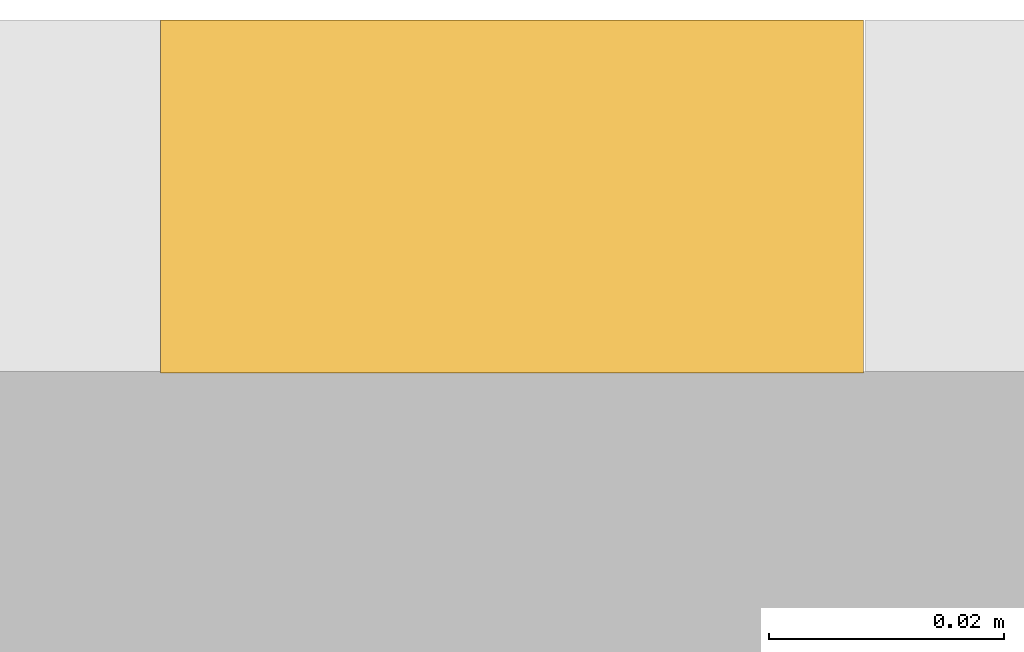
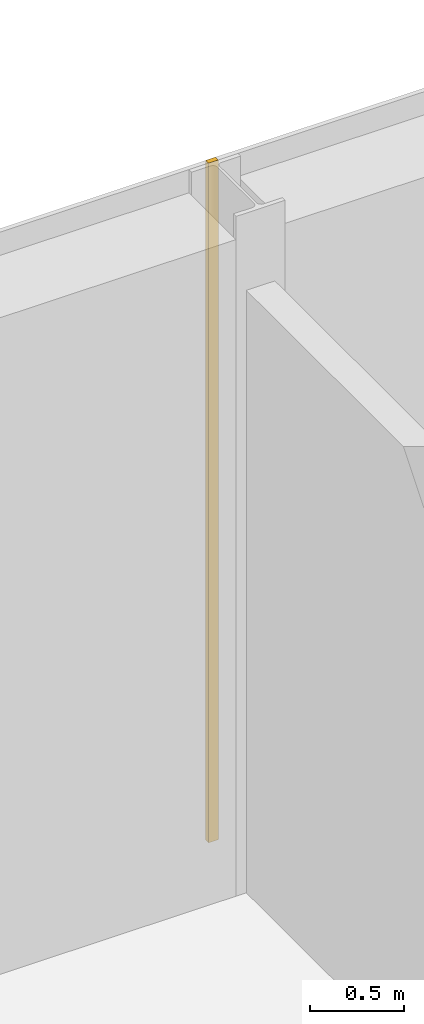
# One storey, part 54 of 58: 1 covering.
"""IFC4 building model written with IfcOpenShell, lengths in metres."""

import ifcopenshell
import ifcopenshell.guid

model = None  # the IFC model being written
_history = None  # IfcOwnerHistory: only IFC2X3 demands one
_inside = {}  # id of a spatial element -> (the spatial element, [elements in it])
_under = {}  # id of a project, library or spatial element -> (it, [spatial elements below it])
_declared = {}  # id of a project -> (the project, [libraries it declares])
_typed = {}  # id of a type object -> (the type object, [elements of that type])
_made_of = {}  # id of a material, layer set ... -> (it, [elements and type objects made of it])


def new_model(schema):
    """Start an empty IFC model of exactly this schema.

    Asked for "IFC4X3", IfcOpenShell would pick the latest addendum, in which some entities
    have other attributes; the version numbers below select the first issue.
    IFC2X3 requires an IfcOwnerHistory on every rooted entity: one is made here for all.
    """
    global model, _history
    if schema == "IFC4X3":
        model = ifcopenshell.file(schema_version=(4, 3, 0, 0))
    else:
        model = ifcopenshell.file(schema=schema)
    _inside.clear()
    _under.clear()
    _declared.clear()
    _typed.clear()
    _made_of.clear()
    _history = None
    if model.schema == "IFC2X3":
        org = make("IfcOrganization", Name="unknown")
        user = make(
            "IfcPersonAndOrganization",
            ThePerson=make("IfcPerson", FamilyName="unknown"),
            TheOrganization=org,
        )
        app = make(
            "IfcApplication",
            ApplicationDeveloper=org,
            Version="unknown",
            ApplicationFullName="unknown",
            ApplicationIdentifier="unknown",
        )
        _history = make(
            "IfcOwnerHistory",
            OwningUser=user,
            OwningApplication=app,
            ChangeAction="ADDED",
            CreationDate=0,
        )
    return model


def make(cls, **values):
    """One entity of the class cls with the attributes given. An attribute that is None is left unset."""
    return model.create_entity(
        cls, **{name: value for name, value in values.items() if value is not None}
    )


def rooted(cls, **values):
    """An entity with a GlobalId (a new one), such as an element, a storey or a relation."""
    return make(cls, GlobalId=ifcopenshell.guid.new(), OwnerHistory=_history, **values)


def si_unit(unit_type, name, prefix=None):
    """IfcSIUnit, for example si_unit("LENGTHUNIT", "METRE", prefix="MILLI")."""
    return make("IfcSIUnit", UnitType=unit_type, Prefix=prefix, Name=name)


def assignment(units):
    """IfcUnitAssignment: the units of a project."""
    return None if units is None else make("IfcUnitAssignment", Units=units)


def point(xyz):
    """IfcCartesianPoint."""
    return None if xyz is None else make("IfcCartesianPoint", Coordinates=xyz)


def direction(xyz):
    """IfcDirection."""
    return None if xyz is None else make("IfcDirection", DirectionRatios=xyz)


def frame(location, z_axis=None, x_axis=None):
    """IfcAxis2Placement3D, a coordinate frame: its origin and axes. An axis left out is left unset."""
    return make(
        "IfcAxis2Placement3D",
        Location=point(location),
        Axis=direction(z_axis),
        RefDirection=direction(x_axis),
    )


def frame_2d(location, x_axis=None):
    """IfcAxis2Placement2D, a coordinate frame in the plane: its origin and x axis."""
    return make(
        "IfcAxis2Placement2D", Location=point(location), RefDirection=direction(x_axis)
    )


def origin():
    """The frame at (0, 0, 0) with its axes left unset."""
    return frame((0.0, 0.0, 0.0))


def origin_2d():
    """The frame at (0, 0) in the plane with its x axis left unset."""
    return frame_2d((0.0, 0.0))


def place(relative_to, where):
    """IfcLocalPlacement: puts the frame where relative to a parent placement (None: the world)."""
    return make(
        "IfcLocalPlacement", PlacementRelTo=relative_to, RelativePlacement=where
    )


def context(
    kind, dimensions, precision=None, world=None, true_north=None, identifier=None
):
    """IfcGeometricRepresentationContext, for example the 3D "Model" context."""
    return make(
        "IfcGeometricRepresentationContext",
        ContextIdentifier=identifier,
        ContextType=kind,
        CoordinateSpaceDimension=dimensions,
        Precision=precision,
        WorldCoordinateSystem=world,
        TrueNorth=true_north,
    )


def subcontext(parent, identifier, kind, view, scale=None):
    """IfcGeometricRepresentationSubContext, for example "Body" below "Model"."""
    return make(
        "IfcGeometricRepresentationSubContext",
        ContextIdentifier=identifier,
        ContextType=kind,
        ParentContext=parent,
        TargetScale=scale,
        TargetView=view,
    )


def project(units=None, contexts=None):
    """IfcProject with its units and contexts."""
    return rooted(
        "IfcProject",
        Name="project",
        RepresentationContexts=contexts,
        UnitsInContext=assignment(units),
    )


def spatial(cls, under=None, at=None, **own):
    """A site, building, storey or space (cls), placed at a placement, below another one or the project."""
    s = rooted(cls, ObjectPlacement=at, **own)
    if under is not None:
        _under.setdefault(under.id(), (under, []))[1].append(s)
    return s


def profile(cls, at=None, kind="AREA", **sizes):
    """A parametric profile (cls). Its sizes go by their IFC names, for example OverallWidth=200.0."""
    return make(cls, ProfileType=kind, Position=at, **sizes)


def rectangle(**sizes):
    """IfcRectangleProfileDef."""
    return profile("IfcRectangleProfileDef", **sizes)


def extrude(swept, where, along, depth):
    """IfcExtrudedAreaSolid: the profile swept, set in the frame where, extruded along a direction by depth."""
    return make(
        "IfcExtrudedAreaSolid",
        SweptArea=swept,
        Position=where,
        ExtrudedDirection=direction(along),
        Depth=depth,
    )


def shape(context_of_items, identifier, shape_type, items):
    """IfcShapeRepresentation: the items that make up one representation, for example the "Body"."""
    return make(
        "IfcShapeRepresentation",
        ContextOfItems=context_of_items,
        RepresentationIdentifier=identifier,
        RepresentationType=shape_type,
        Items=items,
    )


def material(Name=None, Category=None):
    """IfcMaterial."""
    return make("IfcMaterial", Name=Name, Category=Category)


def layer(
    of_material, thickness, ventilated=None, Name=None, Category=None, Priority=None
):
    """IfcMaterialLayer: one layer of a wall or slab, of a material (None: an air gap)."""
    return make(
        "IfcMaterialLayer",
        Material=of_material,
        LayerThickness=thickness,
        IsVentilated=ventilated,
        Name=Name,
        Category=Category,
        Priority=Priority,
    )


def layer_set(layers, Name=None):
    """IfcMaterialLayerSet."""
    return make("IfcMaterialLayerSet", MaterialLayers=layers, LayerSetName=Name)


def made_of(thing, what):
    """Note that an element or type object is made of a material, layer set ...; save() writes the relation."""
    if what is not None:
        _made_of.setdefault(what.id(), (what, []))[1].append(thing)
    return thing


def type_object(cls, material=None, **own):
    """A type object (cls), such as IfcWallType, which elements share."""
    return made_of(rooted(cls, **own), material)


def element(
    cls,
    number,
    at=None,
    inside=None,
    cuts=None,
    type_object=None,
    material=None,
    context=None,
    identifier="Body",
    shape_type=None,
    held_by="IfcProductDefinitionShape",
    body=None,
    shapes=None,
    **own,
):
    """One element of the class cls, such as IfcWall. Its Tag is "e" and its number.

    at: its placement. inside: the storey or other place that contains it. cuts: it is an
    opening in that element (IfcRelVoidsElement). A single representation is given by context,
    identifier, shape_type and body (its items); several are given by shapes. held_by: the class
    of the entity that holds the representations. save() writes the other relations.
    """
    e = rooted(cls, Tag="e%d" % number, ObjectPlacement=at, **own)
    if body is not None:
        shapes = [shape(context, identifier, shape_type, body)]
    if shapes is not None:
        e.Representation = make(held_by, Representations=shapes)
    if inside is not None:
        _inside.setdefault(inside.id(), (inside, []))[1].append(e)
    if cuts is not None:
        rooted(
            "IfcRelVoidsElement", RelatingBuildingElement=cuts, RelatedOpeningElement=e
        )
    if type_object is not None:
        _typed.setdefault(type_object.id(), (type_object, []))[1].append(e)
    return made_of(e, material)


def aggregate(whole, parts):
    """IfcRelAggregates: a whole, such as a stair, and the parts it consists of."""
    return rooted("IfcRelAggregates", RelatingObject=whole, RelatedObjects=parts)


def save(model, path):
    """Write the relations noted so far, then the file.

    IfcRelAggregates (storeys below a building ...), IfcRelContainedInSpatialStructure (elements
    in a storey), IfcRelDefinesByType, IfcRelAssociatesMaterial and IfcRelDeclares: one each for
    every whole, place, type object, material and project.
    """
    for whole, parts in _under.values():
        aggregate(whole, parts)
    for where, things in _inside.values():
        rooted(
            "IfcRelContainedInSpatialStructure",
            RelatedElements=things,
            RelatingStructure=where,
        )
    for kind, things in _typed.values():
        rooted("IfcRelDefinesByType", RelatedObjects=things, RelatingType=kind)
    for what, things in _made_of.values():
        rooted("IfcRelAssociatesMaterial", RelatedObjects=things, RelatingMaterial=what)
    for by, libraries in _declared.values():
        rooted("IfcRelDeclares", RelatingContext=by, RelatedDefinitions=libraries)
    model.write(path)


model = new_model("IFC4")

# Units and contexts
model_context = context("Model", 3, precision=1e-05, world=origin(), true_north=direction((0.0, 1.0)))
body_context = subcontext(model_context, "Body", "Model", "MODEL_VIEW")
ifc_project = project(units=[si_unit("LENGTHUNIT", "METRE"), si_unit("AREAUNIT", "SQUARE_METRE"), si_unit("VOLUMEUNIT", "CUBIC_METRE"), si_unit("PLANEANGLEUNIT", "RADIAN"), si_unit("MASSUNIT", "GRAM", prefix="KILO")], contexts=[model_context])

# Site, building, storey
site_placement = place(None, origin())
site = spatial("IfcSite", under=ifc_project, at=site_placement, CompositionType="ELEMENT")
building_placement = place(site_placement, origin())
building = spatial("IfcBuilding", under=site, at=building_placement, Name="Galleria Vessillo Department Store", CompositionType="ELEMENT")
storey_placement = place(building_placement, frame((0.0, 0.0, 31.199951171875)))
storey = spatial("IfcBuildingStorey", under=building, at=storey_placement, Name="L06", CompositionType="ELEMENT", Elevation=31.199951171875)

# Covering
ifc_material = material(Name="Lime plaster (intonaco) ochre")
ifc_layer = layer(ifc_material, 0.030029296875)
ifc_layer_set = layer_set([ifc_layer], Name="Lime plaster (intonaco) ochre")
covering_type = type_object("IfcCoveringType", Name="Lime plaster render 30 mm", PredefinedType="CLADDING", material=ifc_layer_set)
covering_placement = place(storey_placement, frame((92.39990234375, 63.264892578125, 0.0), z_axis=(0.0, 0.0, 1.0), x_axis=(1.0, 0.0, 0.0)))
element("IfcCovering", 1, at=covering_placement, inside=storey, type_object=covering_type, Name="Joint block Wall cladding S-TN-L06-01", PredefinedType="CLADDING", context=body_context, shape_type="SweptSolid", body=[
    extrude(rectangle(XDim=0.059814453125, YDim=0.030029296875, at=origin_2d()), origin(), (0.0, 0.0, 1.0), 4.39990234375),
])

save(model, "model.ifc")
